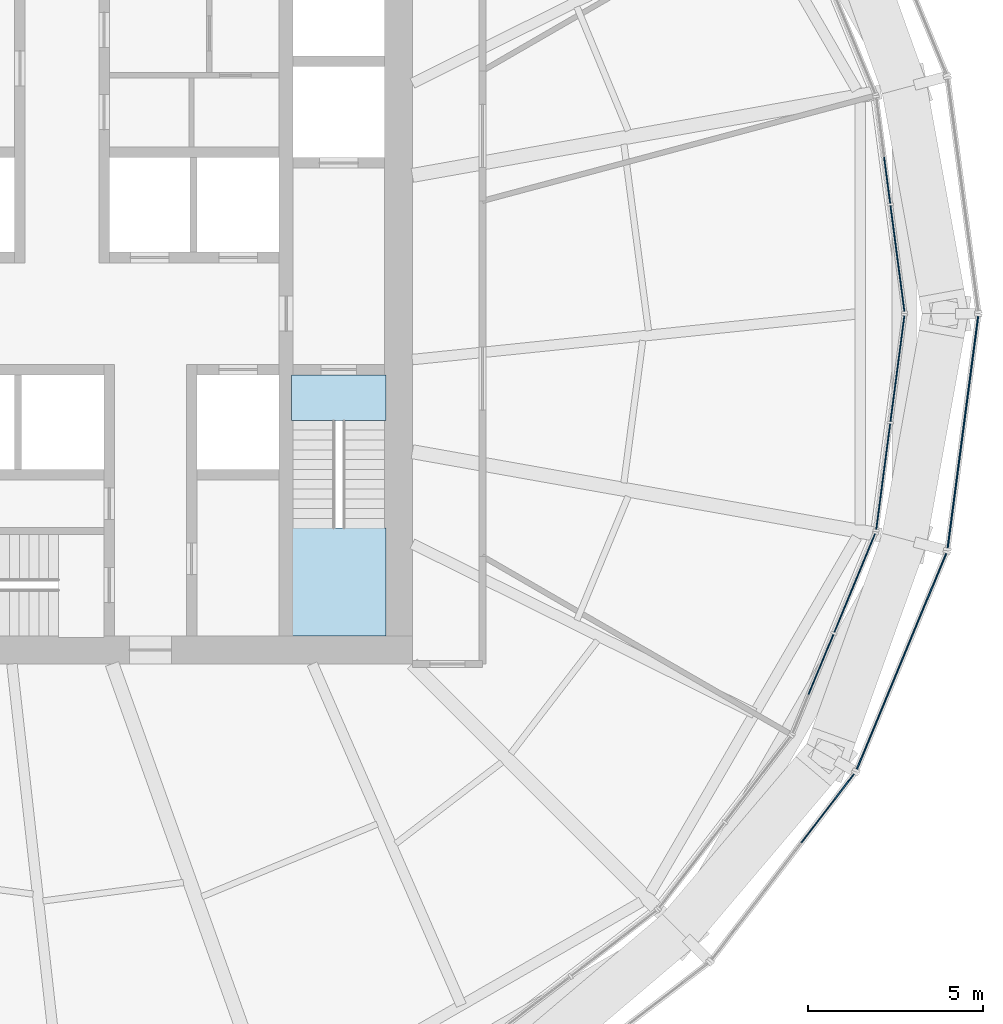
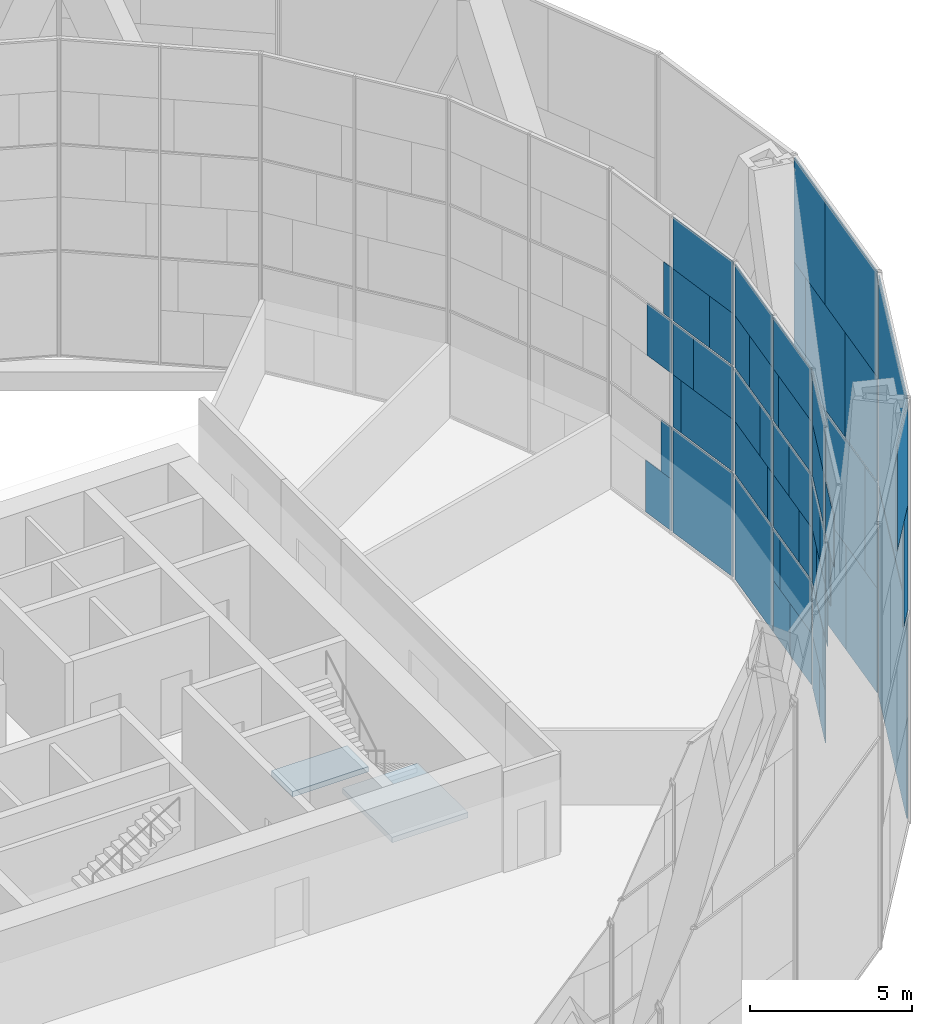
# One storey, part 17 of 26: 59 plates, 2 slabs, 7 elements without a shape of their own.
"""IFC4 building model written with IfcOpenShell, lengths in metres."""

from ifc_helpers import new_model, si_unit, direction, frame, origin, origin_2d, place, context, subcontext, project, spatial, polyline, rectangle, outline, extrude, material, layer, layer_set, type_object, element, aggregate, save


model = new_model("IFC4")

# Units and contexts
model_context = context("Model", 3, precision=1e-05, world=origin(), true_north=direction((0.0, 1.0)))
body_context = subcontext(model_context, "Body", "Model", "MODEL_VIEW")
ifc_project = project(units=[si_unit("LENGTHUNIT", "METRE"), si_unit("AREAUNIT", "SQUARE_METRE"), si_unit("VOLUMEUNIT", "CUBIC_METRE"), si_unit("PLANEANGLEUNIT", "RADIAN"), si_unit("MASSUNIT", "GRAM", prefix="KILO")], contexts=[model_context])

# Site, building, storey
site_placement = place(None, origin())
site = spatial("IfcSite", under=ifc_project, at=site_placement, CompositionType="ELEMENT")
building_placement = place(site_placement, origin())
building = spatial("IfcBuilding", under=site, at=building_placement, Name="Golbaran Civic Tower", CompositionType="ELEMENT")
storey_placement = place(building_placement, frame((0.0, 0.0, 69.0)))
storey = spatial("IfcBuildingStorey", under=building, at=storey_placement, Name="L16", CompositionType="ELEMENT", Elevation=69.0)

# Curtain wall, plates
ifc_material_1 = material(Name="Aluminium and glass", Category="aluminium")
curtain_wall_type_1 = type_object("IfcCurtainWallType", Name="INNER SKIN CURTAIN WALL", PredefinedType="NOTDEFINED", material=ifc_material_1)
curtain_wall_1_placement = place(storey_placement, origin())
curtain_wall_1 = element("IfcCurtainWall", 1, at=curtain_wall_1_placement, inside=storey, type_object=curtain_wall_type_1, Name="Inner skin L16 facet 1 CW1", ObjectType="INNER SKIN", PredefinedType="USERDEFINED")
ifc_material_2 = material(Name="Clear insulating glass", Category="glass")
ifc_layer_1 = layer(ifc_material_2, 0.031982421875, Name="Clear insulating glass")
ifc_layer_set_1 = layer_set([ifc_layer_1], Name="Clear insulating glass")
plate_type_1 = type_object("IfcPlateType", Name="INNER SKIN CURTAIN WALL GLAZED PANEL", PredefinedType="CURTAIN_PANEL", material=ifc_layer_set_1)
plate_1_placement = place(storey_placement, frame((23.845947265625, 1.572509765625, 0.06494140625), z_axis=(0.0, 0.0, 1.0), x_axis=(-0.130526192168, 0.991444861381, 0.0)))
plate_1 = element("IfcPlate", 2, at=plate_1_placement, type_object=plate_type_1, Name="CW1 panel 1.1", PredefinedType="CURTAIN_PANEL", context=body_context, shape_type="SweptSolid", body=[
    extrude(rectangle(XDim=3.0419921875, YDim=0.031982421875, at=origin_2d()), origin(), (0.0, 0.0, 1.0), 3.902587890625),
])
plate_2_placement = place(storey_placement, frame((23.8720703125, 1.37353515625, 4.03271484375), z_axis=(0.0, 0.0, 1.0), x_axis=(-0.130526192168, 0.991444861381, 0.0)))
plate_2 = element("IfcPlate", 3, at=plate_2_placement, type_object=plate_type_1, Name="CW1 panel 1.2 part 1", PredefinedType="CURTAIN_PANEL", context=body_context, shape_type="SweptSolid", body=[
    extrude(rectangle(XDim=2.64111328125, YDim=0.031982421875, at=origin_2d()), origin(), (0.0, 0.0, 1.0), 1.967529296875),
])
plate_3_placement = place(storey_placement, frame((23.913818359375, 1.057373046875, 6.0), z_axis=(0.0, 0.0, 1.0), x_axis=(-0.130526192168, 0.991444861381, 0.0)))
plate_3 = element("IfcPlate", 4, at=plate_3_placement, type_object=plate_type_1, Name="CW1 panel 1.2 part 3", PredefinedType="CURTAIN_PANEL", context=body_context, shape_type="SweptSolid", body=[
    extrude(rectangle(XDim=2.0029296875, YDim=0.031982421875, at=origin_2d()), origin(), (0.0, 0.0, 1.0), 1.967529296875),
])
plate_4_placement = place(storey_placement, frame((23.967529296875, 0.64892578125, 8.032470703125), z_axis=(0.0, 0.0, 1.0), x_axis=(-0.130526192168, 0.991444861381, 0.0)))
plate_4 = element("IfcPlate", 5, at=plate_4_placement, type_object=plate_type_1, Name="CW1 panel 1.3 part 1", PredefinedType="CURTAIN_PANEL", context=body_context, shape_type="SweptSolid", body=[
    extrude(rectangle(XDim=1.178955078125, YDim=0.031982421875, at=origin_2d()), origin(), (0.0, 0.0, 1.0), 1.951171875),
])
plate_5_placement = place(storey_placement, frame((23.55224609375, 3.8037109375, 0.06494140625), z_axis=(0.0, 0.0, 1.0), x_axis=(-0.130526192168, 0.991444861381, 0.0)))
plate_5 = element("IfcPlate", 6, at=plate_5_placement, type_object=plate_type_1, Name="CW1 panel 2.1 part 1", PredefinedType="CURTAIN_PANEL", context=body_context, shape_type="SweptSolid", body=[
    extrude(rectangle(XDim=1.3291015625, YDim=0.031982421875, at=origin_2d()), origin(), (0.0, 0.0, 1.0), 1.951171875),
])
plate_6_placement = place(storey_placement, frame((23.604248046875, 3.408203125, 2.016357421875), z_axis=(0.0, 0.0, 1.0), x_axis=(-0.130526192168, 0.991444861381, 0.0)))
plate_6 = element("IfcPlate", 7, at=plate_6_placement, type_object=plate_type_1, Name="CW1 panel 2.1 part 3", PredefinedType="CURTAIN_PANEL", context=body_context, shape_type="SweptSolid", body=[
    extrude(rectangle(XDim=0.531005859375, YDim=0.031982421875, at=origin_2d()), origin(), (0.0, 0.0, 1.0), 1.951171875),
])

curtain_wall_2_placement = place(storey_placement, origin())
curtain_wall_2 = element("IfcCurtainWall", 8, at=curtain_wall_2_placement, inside=storey, type_object=curtain_wall_type_1, Name="Inner skin L16 facet 23 CW1", ObjectType="INNER SKIN", PredefinedType="USERDEFINED")
plate_7_placement = place(storey_placement, frame((22.298583984375, -8.48193359375, 0.06494140625), z_axis=(0.0, 0.0, 1.0), x_axis=(0.382683432446, 0.923879532478, 0.0)))
plate_7 = element("IfcPlate", 9, at=plate_7_placement, type_object=plate_type_1, Name="CW1 panel 2.1 part 1", PredefinedType="CURTAIN_PANEL", context=body_context, shape_type="SweptSolid", body=[
    extrude(rectangle(XDim=1.3291015625, YDim=0.031982421875, at=origin_2d()), origin(), (0.0, 0.0, 1.0), 1.951171875),
])
plate_8_placement = place(storey_placement, frame((22.14599609375, -8.8505859375, 2.016357421875), z_axis=(0.0, 0.0, 1.0), x_axis=(0.382683432446, 0.923879532478, 0.0)))
plate_8 = element("IfcPlate", 10, at=plate_8_placement, type_object=plate_type_1, Name="CW1 panel 2.1 part 3", PredefinedType="CURTAIN_PANEL", context=body_context, shape_type="SweptSolid", body=[
    extrude(rectangle(XDim=0.531005859375, YDim=0.031982421875, at=origin_2d()), origin(), (0.0, 0.0, 1.0), 1.951171875),
])
plate_9_placement = place(storey_placement, frame((23.018798828125, -6.74365234375, 4.03271484375), z_axis=(0.0, 0.0, 1.0), x_axis=(0.382683432446, 0.923879532478, 0.0)))
plate_9 = element("IfcPlate", 11, at=plate_9_placement, type_object=plate_type_1, Name="CW1 panel 2.2 part 2", PredefinedType="CURTAIN_PANEL", context=body_context, shape_type="SweptSolid", body=[
    extrude(rectangle(XDim=0.991943359375, YDim=0.031982421875, at=origin_2d()), origin(), (0.0, 0.0, 1.0), 1.967529296875),
])
plate_10_placement = place(storey_placement, frame((22.864501953125, -7.115966796875, 6.0), z_axis=(0.0, 0.0, 1.0), x_axis=(0.382683432446, 0.923879532478, 0.0)))
plate_10 = element("IfcPlate", 12, at=plate_10_placement, type_object=plate_type_1, Name="CW1 panel 2.2 part 4", PredefinedType="CURTAIN_PANEL", context=body_context, shape_type="SweptSolid", body=[
    extrude(rectangle(XDim=1.798095703125, YDim=0.031982421875, at=origin_2d()), origin(), (0.0, 0.0, 1.0), 1.967529296875),
])
plate_11_placement = place(storey_placement, frame((22.705078125, -7.500732421875, 8.032470703125), z_axis=(0.0, 0.0, 1.0), x_axis=(0.382683432446, 0.923879532478, 0.0)))
plate_11 = element("IfcPlate", 13, at=plate_11_placement, type_object=plate_type_1, Name="CW1 panel 2.3 part 2", PredefinedType="CURTAIN_PANEL", context=body_context, shape_type="SweptSolid", body=[
    extrude(rectangle(XDim=2.631103515625, YDim=0.031982421875, at=origin_2d()), origin(), (0.0, 0.0, 1.0), 1.951171875),
])
plate_12_placement = place(storey_placement, frame((22.62646484375, -7.690673828125, 9.98388671875), z_axis=(0.0, 0.0, 1.0), x_axis=(0.382683432446, 0.923879532478, 0.0)))
plate_12 = element("IfcPlate", 14, at=plate_12_placement, type_object=plate_type_1, Name="CW1 panel 2.3 part 3", PredefinedType="CURTAIN_PANEL", context=body_context, shape_type="SweptSolid", body=[
    extrude(rectangle(XDim=3.0419921875, YDim=0.031982421875, at=origin_2d()), origin(), (0.0, 0.0, 1.0), 1.951171875),
])

curtain_wall_3_placement = place(storey_placement, origin())
curtain_wall_3 = element("IfcCurtainWall", 15, at=curtain_wall_3_placement, inside=storey, type_object=curtain_wall_type_1, Name="Inner skin L16 facet 24 CW1", ObjectType="INNER SKIN", PredefinedType="USERDEFINED")
plate_13_placement = place(storey_placement, frame((23.55224609375, -3.8037109375, 0.06494140625), z_axis=(0.0, 0.0, 1.0), x_axis=(0.130526192168, 0.991444861381, 0.0)))
plate_13 = element("IfcPlate", 16, at=plate_13_placement, type_object=plate_type_1, Name="CW1 panel 1.1 part 2", PredefinedType="CURTAIN_PANEL", context=body_context, shape_type="SweptSolid", body=[
    extrude(rectangle(XDim=1.3291015625, YDim=0.031982421875, at=origin_2d()), origin(), (0.0, 0.0, 1.0), 1.951171875),
])
plate_14_placement = place(storey_placement, frame((23.604248046875, -3.408203125, 2.016357421875), z_axis=(0.0, 0.0, 1.0), x_axis=(0.130526192168, 0.991444861381, 0.0)))
plate_14 = element("IfcPlate", 17, at=plate_14_placement, type_object=plate_type_1, Name="CW1 panel 1.1 part 4", PredefinedType="CURTAIN_PANEL", context=body_context, shape_type="SweptSolid", body=[
    extrude(rectangle(XDim=0.531005859375, YDim=0.031982421875, at=origin_2d()), origin(), (0.0, 0.0, 1.0), 1.951171875),
])
plate_15_placement = place(storey_placement, frame((23.306640625, -5.669189453125, 4.03271484375), z_axis=(0.0, 0.0, 1.0), x_axis=(0.130526192168, 0.991444861381, 0.0)))
plate_15 = element("IfcPlate", 18, at=plate_15_placement, type_object=plate_type_1, Name="CW1 panel 1.2 part 1", PredefinedType="CURTAIN_PANEL", context=body_context, shape_type="SweptSolid", body=[
    extrude(rectangle(XDim=0.991943359375, YDim=0.031982421875, at=origin_2d()), origin(), (0.0, 0.0, 1.0), 1.967529296875),
])
plate_16_placement = place(storey_placement, frame((23.359375, -5.26904296875, 6.0), z_axis=(0.0, 0.0, 1.0), x_axis=(0.130526192168, 0.991444861381, 0.0)))
plate_16 = element("IfcPlate", 19, at=plate_16_placement, type_object=plate_type_1, Name="CW1 panel 1.2 part 3", PredefinedType="CURTAIN_PANEL", context=body_context, shape_type="SweptSolid", body=[
    extrude(rectangle(XDim=1.799072265625, YDim=0.031982421875, at=origin_2d()), origin(), (0.0, 0.0, 1.0), 1.967529296875),
])
plate_17_placement = place(storey_placement, frame((23.41357421875, -4.856689453125, 8.032470703125), z_axis=(0.0, 0.0, 1.0), x_axis=(0.130526192168, 0.991444861381, 0.0)))
plate_17 = element("IfcPlate", 20, at=plate_17_placement, type_object=plate_type_1, Name="CW1 panel 1.3 part 1", PredefinedType="CURTAIN_PANEL", context=body_context, shape_type="SweptSolid", body=[
    extrude(rectangle(XDim=2.631103515625, YDim=0.031982421875, at=origin_2d()), origin(), (0.0, 0.0, 1.0), 1.951171875),
])
plate_18_placement = place(storey_placement, frame((23.4404296875, -4.65283203125, 9.98388671875), z_axis=(0.0, 0.0, 1.0), x_axis=(0.130526192168, 0.991444861381, 0.0)))
plate_18 = element("IfcPlate", 21, at=plate_18_placement, type_object=plate_type_1, Name="CW1 panel 1.3 part 3", PredefinedType="CURTAIN_PANEL", context=body_context, shape_type="SweptSolid", body=[
    extrude(rectangle(XDim=3.0419921875, YDim=0.031982421875, at=origin_2d()), origin(), (0.0, 0.0, 1.0), 1.951171875),
])
plate_19_placement = place(storey_placement, frame((23.845947265625, -1.572509765625, 0.06494140625), z_axis=(0.0, 0.0, 1.0), x_axis=(0.130526192168, 0.991444861381, 0.0)))
plate_19 = element("IfcPlate", 22, at=plate_19_placement, type_object=plate_type_1, Name="CW1 panel 2.1", PredefinedType="CURTAIN_PANEL", context=body_context, shape_type="SweptSolid", body=[
    extrude(rectangle(XDim=3.0419921875, YDim=0.031982421875, at=origin_2d()), origin(), (0.0, 0.0, 1.0), 3.902587890625),
])
plate_20_placement = place(storey_placement, frame((23.8720703125, -1.373779296875, 4.03271484375), z_axis=(0.0, 0.0, 1.0), x_axis=(0.130526192168, 0.991444861381, 0.0)))
plate_20 = element("IfcPlate", 23, at=plate_20_placement, type_object=plate_type_1, Name="CW1 panel 2.2 part 2", PredefinedType="CURTAIN_PANEL", context=body_context, shape_type="SweptSolid", body=[
    extrude(rectangle(XDim=2.64111328125, YDim=0.031982421875, at=origin_2d()), origin(), (0.0, 0.0, 1.0), 1.967529296875),
])
plate_21_placement = place(storey_placement, frame((23.913818359375, -1.057373046875, 6.0), z_axis=(0.0, 0.0, 1.0), x_axis=(0.130526192168, 0.991444861381, 0.0)))
plate_21 = element("IfcPlate", 24, at=plate_21_placement, type_object=plate_type_1, Name="CW1 panel 2.2 part 4", PredefinedType="CURTAIN_PANEL", context=body_context, shape_type="SweptSolid", body=[
    extrude(rectangle(XDim=2.0029296875, YDim=0.031982421875, at=origin_2d()), origin(), (0.0, 0.0, 1.0), 1.967529296875),
])
plate_22_placement = place(storey_placement, frame((23.967529296875, -0.64892578125, 8.032470703125), z_axis=(0.0, 0.0, 1.0), x_axis=(0.130526192168, 0.991444861381, 0.0)))
plate_22 = element("IfcPlate", 25, at=plate_22_placement, type_object=plate_type_1, Name="CW1 panel 2.3 part 2", PredefinedType="CURTAIN_PANEL", context=body_context, shape_type="SweptSolid", body=[
    extrude(rectangle(XDim=1.178955078125, YDim=0.031982421875, at=origin_2d()), origin(), (0.0, 0.0, 1.0), 1.951171875),
])

# Plate
ifc_material_3 = material(Name="Aluminium faced opaque infill panel", Category="aluminium")
ifc_layer_2 = layer(ifc_material_3, 0.031982421875, Name="Aluminium faced opaque infill panel")
ifc_layer_set_2 = layer_set([ifc_layer_2], Name="Aluminium faced opaque infill panel")
plate_type_2 = type_object("IfcPlateType", Name="INNER SKIN CURTAIN WALL OPAQUE INFILL PANEL", PredefinedType="CURTAIN_PANEL", material=ifc_layer_set_2)
plate_23_placement = place(storey_placement, frame((23.673583984375, 2.881591796875, 4.03271484375), z_axis=(0.0, 0.0, 1.0), x_axis=(-0.130526192168, 0.991444861381, 0.0)))
plate_23 = element("IfcPlate", 26, at=plate_23_placement, type_object=plate_type_2, Name="CW1 infill panel 1.2 part 2", PredefinedType="CURTAIN_PANEL", context=body_context, shape_type="SweptSolid", body=[
    extrude(rectangle(XDim=0.401123046875, YDim=0.031982421875, at=origin_2d()), origin(), (0.0, 0.0, 1.0), 1.967529296875),
])

plate_24_placement = place(storey_placement, frame((23.71533203125, 2.5654296875, 6.0), z_axis=(0.0, 0.0, 1.0), x_axis=(-0.130526192168, 0.991444861381, 0.0)))
plate_24 = element("IfcPlate", 27, at=plate_24_placement, type_object=plate_type_2, Name="CW1 infill panel 1.2 part 4", PredefinedType="CURTAIN_PANEL", context=body_context, shape_type="SweptSolid", body=[
    extrude(rectangle(XDim=1.0390625, YDim=0.031982421875, at=origin_2d()), origin(), (0.0, 0.0, 1.0), 1.967529296875),
])

plate_25_placement = place(storey_placement, frame((23.76904296875, 2.156982421875, 8.032470703125), z_axis=(0.0, 0.0, 1.0), x_axis=(-0.130526192168, 0.991444861381, 0.0)))
plate_25 = element("IfcPlate", 28, at=plate_25_placement, type_object=plate_type_2, Name="CW1 infill panel 1.3 part 2", PredefinedType="CURTAIN_PANEL", context=body_context, shape_type="SweptSolid", body=[
    extrude(rectangle(XDim=1.863037109375, YDim=0.031982421875, at=origin_2d()), origin(), (0.0, 0.0, 1.0), 1.951171875),
])

plate_26_placement = place(storey_placement, frame((23.845947265625, 1.572509765625, 9.98388671875), z_axis=(0.0, 0.0, 1.0), x_axis=(-0.130526192168, 0.991444861381, 0.0)))
plate_26 = element("IfcPlate", 29, at=plate_26_placement, type_object=plate_type_2, Name="CW1 infill panel 1.3 part 3", PredefinedType="CURTAIN_PANEL", context=body_context, shape_type="SweptSolid", body=[
    extrude(rectangle(XDim=3.0419921875, YDim=0.031982421875, at=origin_2d()), origin(), (0.0, 0.0, 1.0), 1.951171875),
])

plate_27_placement = place(storey_placement, frame((23.557861328125, 3.761474609375, 6.0), z_axis=(0.0, 0.0, 1.0), x_axis=(-0.130526192168, 0.991444861381, 0.0)))
plate_27 = element("IfcPlate", 30, at=plate_27_placement, type_object=plate_type_2, Name="CW1 infill panel 2.2 part 3", PredefinedType="CURTAIN_PANEL", context=body_context, shape_type="SweptSolid", body=[
    extrude(rectangle(XDim=1.243896484375, YDim=0.031982421875, at=origin_2d()), origin(), (0.0, 0.0, 1.0), 1.967529296875),
])

plate_28_placement = place(storey_placement, frame((23.612060546875, 3.3486328125, 8.032470703125), z_axis=(0.0, 0.0, 1.0), x_axis=(-0.130526192168, 0.991444861381, 0.0)))
plate_28 = element("IfcPlate", 31, at=plate_28_placement, type_object=plate_type_2, Name="CW1 infill panel 2.3 part 1", PredefinedType="CURTAIN_PANEL", context=body_context, shape_type="SweptSolid", body=[
    extrude(rectangle(XDim=0.410888671875, YDim=0.031982421875, at=origin_2d()), origin(), (0.0, 0.0, 1.0), 1.951171875),
])

aggregate(curtain_wall_1, [plate_1, plate_2, plate_23, plate_3, plate_24, plate_4, plate_25, plate_26, plate_5, plate_6, plate_27, plate_28])

plate_29_placement = place(storey_placement, frame((21.94287109375, -9.34130859375, 4.03271484375), z_axis=(0.0, 0.0, 1.0), x_axis=(0.382683432446, 0.923879532478, 0.0)))
plate_29 = element("IfcPlate", 32, at=plate_29_placement, type_object=plate_type_2, Name="CW1 infill panel 1.2 part 2", PredefinedType="CURTAIN_PANEL", context=body_context, shape_type="SweptSolid", body=[
    extrude(rectangle(XDim=0.401123046875, YDim=0.031982421875, at=origin_2d()), origin(), (0.0, 0.0, 1.0), 1.967529296875),
])

plate_30_placement = place(storey_placement, frame((21.82080078125, -9.635986328125, 6.0), z_axis=(0.0, 0.0, 1.0), x_axis=(0.382683432446, 0.923879532478, 0.0)))
plate_30 = element("IfcPlate", 33, at=plate_30_placement, type_object=plate_type_2, Name="CW1 infill panel 1.2 part 4", PredefinedType="CURTAIN_PANEL", context=body_context, shape_type="SweptSolid", body=[
    extrude(rectangle(XDim=1.0390625, YDim=0.031982421875, at=origin_2d()), origin(), (0.0, 0.0, 1.0), 1.967529296875),
])

plate_31_placement = place(storey_placement, frame((21.6630859375, -10.0166015625, 8.032470703125), z_axis=(0.0, 0.0, 1.0), x_axis=(0.382683432446, 0.923879532478, 0.0)))
plate_31 = element("IfcPlate", 34, at=plate_31_placement, type_object=plate_type_2, Name="CW1 infill panel 1.3 part 2", PredefinedType="CURTAIN_PANEL", context=body_context, shape_type="SweptSolid", body=[
    extrude(rectangle(XDim=1.863037109375, YDim=0.031982421875, at=origin_2d()), origin(), (0.0, 0.0, 1.0), 1.951171875),
])

plate_32_placement = place(storey_placement, frame((22.880859375, -7.07666015625, 0.06494140625), z_axis=(0.0, 0.0, 1.0), x_axis=(0.382683432446, 0.923879532478, 0.0)))
plate_32 = element("IfcPlate", 35, at=plate_32_placement, type_object=plate_type_2, Name="CW1 infill panel 2.1 part 2", PredefinedType="CURTAIN_PANEL", context=body_context, shape_type="SweptSolid", body=[
    extrude(rectangle(XDim=1.713134765625, YDim=0.031982421875, at=origin_2d()), origin(), (0.0, 0.0, 1.0), 1.951171875),
])

plate_33_placement = place(storey_placement, frame((22.72802734375, -7.4453125, 2.016357421875), z_axis=(0.0, 0.0, 1.0), x_axis=(0.382683432446, 0.923879532478, 0.0)))
plate_33 = element("IfcPlate", 36, at=plate_33_placement, type_object=plate_type_2, Name="CW1 infill panel 2.1 part 4", PredefinedType="CURTAIN_PANEL", context=body_context, shape_type="SweptSolid", body=[
    extrude(rectangle(XDim=2.510986328125, YDim=0.031982421875, at=origin_2d()), origin(), (0.0, 0.0, 1.0), 1.951171875),
])

plate_34_placement = place(storey_placement, frame((22.436767578125, -8.14892578125, 4.03271484375), z_axis=(0.0, 0.0, 1.0), x_axis=(0.382683432446, 0.923879532478, 0.0)))
plate_34 = element("IfcPlate", 37, at=plate_34_placement, type_object=plate_type_2, Name="CW1 infill panel 2.2 part 1", PredefinedType="CURTAIN_PANEL", context=body_context, shape_type="SweptSolid", body=[
    extrude(rectangle(XDim=2.050048828125, YDim=0.031982421875, at=origin_2d()), origin(), (0.0, 0.0, 1.0), 1.967529296875),
])

plate_35_placement = place(storey_placement, frame((22.282470703125, -8.521240234375, 6.0), z_axis=(0.0, 0.0, 1.0), x_axis=(0.382683432446, 0.923879532478, 0.0)))
plate_35 = element("IfcPlate", 38, at=plate_35_placement, type_object=plate_type_2, Name="CW1 infill panel 2.2 part 3", PredefinedType="CURTAIN_PANEL", context=body_context, shape_type="SweptSolid", body=[
    extrude(rectangle(XDim=1.243896484375, YDim=0.031982421875, at=origin_2d()), origin(), (0.0, 0.0, 1.0), 1.967529296875),
])

plate_36_placement = place(storey_placement, frame((22.123046875, -8.906005859375, 8.032470703125), z_axis=(0.0, 0.0, 1.0), x_axis=(0.382683432446, 0.923879532478, 0.0)))
plate_36 = element("IfcPlate", 39, at=plate_36_placement, type_object=plate_type_2, Name="CW1 infill panel 2.3 part 1", PredefinedType="CURTAIN_PANEL", context=body_context, shape_type="SweptSolid", body=[
    extrude(rectangle(XDim=0.410888671875, YDim=0.031982421875, at=origin_2d()), origin(), (0.0, 0.0, 1.0), 1.951171875),
])

aggregate(curtain_wall_2, [plate_29, plate_30, plate_31, plate_7, plate_32, plate_8, plate_33, plate_34, plate_9, plate_35, plate_10, plate_36, plate_11, plate_12])

plate_37_placement = place(storey_placement, frame((23.353759765625, -5.311767578125, 0.06494140625), z_axis=(0.0, 0.0, 1.0), x_axis=(0.130526192168, 0.991444861381, 0.0)))
plate_37 = element("IfcPlate", 40, at=plate_37_placement, type_object=plate_type_2, Name="CW1 infill panel 1.1 part 1", PredefinedType="CURTAIN_PANEL", context=body_context, shape_type="SweptSolid", body=[
    extrude(rectangle(XDim=1.712890625, YDim=0.031982421875, at=origin_2d()), origin(), (0.0, 0.0, 1.0), 1.951171875),
])

plate_38_placement = place(storey_placement, frame((23.40576171875, -4.916259765625, 2.016357421875), z_axis=(0.0, 0.0, 1.0), x_axis=(0.130526192168, 0.991444861381, 0.0)))
plate_38 = element("IfcPlate", 41, at=plate_38_placement, type_object=plate_type_2, Name="CW1 infill panel 1.1 part 3", PredefinedType="CURTAIN_PANEL", context=body_context, shape_type="SweptSolid", body=[
    extrude(rectangle(XDim=2.510986328125, YDim=0.031982421875, at=origin_2d()), origin(), (0.0, 0.0, 1.0), 1.951171875),
])

plate_39_placement = place(storey_placement, frame((23.505126953125, -4.1611328125, 4.03271484375), z_axis=(0.0, 0.0, 1.0), x_axis=(0.130526192168, 0.991444861381, 0.0)))
plate_39 = element("IfcPlate", 42, at=plate_39_placement, type_object=plate_type_2, Name="CW1 infill panel 1.2 part 2", PredefinedType="CURTAIN_PANEL", context=body_context, shape_type="SweptSolid", body=[
    extrude(rectangle(XDim=2.050048828125, YDim=0.031982421875, at=origin_2d()), origin(), (0.0, 0.0, 1.0), 1.967529296875),
])

plate_40_placement = place(storey_placement, frame((23.557861328125, -3.76123046875, 6.0), z_axis=(0.0, 0.0, 1.0), x_axis=(0.130526192168, 0.991444861381, 0.0)))
plate_40 = element("IfcPlate", 43, at=plate_40_placement, type_object=plate_type_2, Name="CW1 infill panel 1.2 part 4", PredefinedType="CURTAIN_PANEL", context=body_context, shape_type="SweptSolid", body=[
    extrude(rectangle(XDim=1.2431640625, YDim=0.031982421875, at=origin_2d()), origin(), (0.0, 0.0, 1.0), 1.967529296875),
])

plate_41_placement = place(storey_placement, frame((23.612060546875, -3.3486328125, 8.032470703125), z_axis=(0.0, 0.0, 1.0), x_axis=(0.130526192168, 0.991444861381, 0.0)))
plate_41 = element("IfcPlate", 44, at=plate_41_placement, type_object=plate_type_2, Name="CW1 infill panel 1.3 part 2", PredefinedType="CURTAIN_PANEL", context=body_context, shape_type="SweptSolid", body=[
    extrude(rectangle(XDim=0.4111328125, YDim=0.031982421875, at=origin_2d()), origin(), (0.0, 0.0, 1.0), 1.951171875),
])

plate_42_placement = place(storey_placement, frame((23.673583984375, -2.881591796875, 4.03271484375), z_axis=(0.0, 0.0, 1.0), x_axis=(0.130526192168, 0.991444861381, 0.0)))
plate_42 = element("IfcPlate", 45, at=plate_42_placement, type_object=plate_type_2, Name="CW1 infill panel 2.2 part 1", PredefinedType="CURTAIN_PANEL", context=body_context, shape_type="SweptSolid", body=[
    extrude(rectangle(XDim=0.40087890625, YDim=0.031982421875, at=origin_2d()), origin(), (0.0, 0.0, 1.0), 1.967529296875),
])

plate_43_placement = place(storey_placement, frame((23.71533203125, -2.5654296875, 6.0), z_axis=(0.0, 0.0, 1.0), x_axis=(0.130526192168, 0.991444861381, 0.0)))
plate_43 = element("IfcPlate", 46, at=plate_43_placement, type_object=plate_type_2, Name="CW1 infill panel 2.2 part 3", PredefinedType="CURTAIN_PANEL", context=body_context, shape_type="SweptSolid", body=[
    extrude(rectangle(XDim=1.0390625, YDim=0.031982421875, at=origin_2d()), origin(), (0.0, 0.0, 1.0), 1.967529296875),
])

plate_44_placement = place(storey_placement, frame((23.76904296875, -2.156982421875, 8.032470703125), z_axis=(0.0, 0.0, 1.0), x_axis=(0.130526192168, 0.991444861381, 0.0)))
plate_44 = element("IfcPlate", 47, at=plate_44_placement, type_object=plate_type_2, Name="CW1 infill panel 2.3 part 1", PredefinedType="CURTAIN_PANEL", context=body_context, shape_type="SweptSolid", body=[
    extrude(rectangle(XDim=1.863037109375, YDim=0.031982421875, at=origin_2d()), origin(), (0.0, 0.0, 1.0), 1.951171875),
])

plate_45_placement = place(storey_placement, frame((23.845947265625, -1.572509765625, 9.98388671875), z_axis=(0.0, 0.0, 1.0), x_axis=(0.130526192168, 0.991444861381, 0.0)))
plate_45 = element("IfcPlate", 48, at=plate_45_placement, type_object=plate_type_2, Name="CW1 infill panel 2.3 part 3", PredefinedType="CURTAIN_PANEL", context=body_context, shape_type="SweptSolid", body=[
    extrude(rectangle(XDim=3.0419921875, YDim=0.031982421875, at=origin_2d()), origin(), (0.0, 0.0, 1.0), 1.951171875),
])

aggregate(curtain_wall_3, [plate_37, plate_13, plate_38, plate_14, plate_15, plate_39, plate_16, plate_40, plate_17, plate_41, plate_18, plate_19, plate_42, plate_20, plate_43, plate_21, plate_44, plate_22, plate_45])

# Curtain wall, plate
curtain_wall_type_2 = type_object("IfcCurtainWallType", Name="OUTER SKIN TERRACOTTA SCREEN", PredefinedType="NOTDEFINED", material=ifc_material_1)
curtain_wall_4_placement = place(storey_placement, origin())
curtain_wall_4 = element("IfcCurtainWall", 49, at=curtain_wall_4_placement, inside=storey, type_object=curtain_wall_type_2, Name="Outer skin L16 facet 22 CW3", ObjectType="OUTER SKIN", PredefinedType="USERDEFINED")
ifc_material_4 = material(Name="Clear laminated glass", Category="glass")
ifc_layer_3 = layer(ifc_material_4, 0.0400390625, Name="Clear laminated glass")
ifc_layer_set_3 = layer_set([ifc_layer_3], Name="Clear laminated glass")
plate_type_3 = type_object("IfcPlateType", Name="OUTER SKIN CLEAR GLASS PANEL", PredefinedType="CURTAIN_PANEL", material=ifc_layer_set_3)
plate_46_placement = place(storey_placement, frame((22.3271484375, -13.509033203125, 7.330078125), z_axis=(0.0, 0.0, 1.0), x_axis=(0.608761428912, 0.793353340366, 0.0)))
plate_46 = element("IfcPlate", 50, at=plate_46_placement, type_object=plate_type_3, Name="CW3 panel 1.2 part 3", PredefinedType="CURTAIN_PANEL", context=body_context, shape_type="SweptSolid", body=[
    extrude(rectangle(XDim=0.92041015625, YDim=0.0400390625, at=origin_2d()), origin(), (0.0, 0.0, 1.0), 3.93994140625),
])

# Curtain wall, plates
curtain_wall_5_placement = place(storey_placement, origin())
curtain_wall_5 = element("IfcCurtainWall", 51, at=curtain_wall_5_placement, inside=storey, type_object=curtain_wall_type_2, Name="Outer skin L16 facet 24 CW3", ObjectType="OUTER SKIN", PredefinedType="USERDEFINED")
plate_47_placement = place(storey_placement, frame((25.877685546875, -2.152099609375, -0.6298828125), z_axis=(0.0, 0.0, 1.0), x_axis=(0.130526192151, 0.991444861383, 0.0)))
plate_47 = element("IfcPlate", 52, at=plate_47_placement, type_object=plate_type_3, Name="CW3 panel 1.1 part 2", PredefinedType="CURTAIN_PANEL", context=body_context, shape_type="SweptSolid", body=[
    extrude(rectangle(XDim=4.181396484375, YDim=0.0400390625, at=origin_2d()), origin(), (0.0, 0.0, 1.0), 3.93994140625),
])
plate_48_placement = place(storey_placement, frame((25.34228515625, -6.21826171875, 3.31005859375), z_axis=(0.0, 0.0, 1.0), x_axis=(0.130526192151, 0.991444861383, 0.0)))
plate_48 = element("IfcPlate", 53, at=plate_48_placement, type_object=plate_type_3, Name="CW3 panel 1.1 part 3", PredefinedType="CURTAIN_PANEL", context=body_context, shape_type="SweptSolid", body=[
    extrude(rectangle(XDim=0.955078125, YDim=0.0400390625, at=origin_2d()), origin(), (0.0, 0.0, 1.0), 3.93994140625),
])
plate_49_placement = place(storey_placement, frame((25.98291015625, -1.35205078125, 3.31005859375), z_axis=(0.0, 0.0, 1.0), x_axis=(0.130526192151, 0.991444861383, 0.0)))
plate_49 = element("IfcPlate", 54, at=plate_49_placement, type_object=plate_type_3, Name="CW3 panel 1.1 part 5", PredefinedType="CURTAIN_PANEL", context=body_context, shape_type="SweptSolid", body=[
    extrude(rectangle(XDim=2.5673828125, YDim=0.0400390625, at=origin_2d()), origin(), (0.0, 0.0, 1.0), 3.93994140625),
])
plate_50_placement = place(storey_placement, frame((25.449462890625, -5.40380859375, 7.330078125), z_axis=(0.0, 0.0, 1.0), x_axis=(0.130526192151, 0.991444861383, 0.0)))
plate_50 = element("IfcPlate", 55, at=plate_50_placement, type_object=plate_type_3, Name="CW3 panel 1.2 part 1", PredefinedType="CURTAIN_PANEL", context=body_context, shape_type="SweptSolid", body=[
    extrude(rectangle(XDim=2.597900390625, YDim=0.0400390625, at=origin_2d()), origin(), (0.0, 0.0, 1.0), 3.93994140625),
])
plate_51_placement = place(storey_placement, frame((26.090576171875, -0.53564453125, 7.330078125), z_axis=(0.0, 0.0, 1.0), x_axis=(0.130526192151, 0.991444861383, 0.0)))
plate_51 = element("IfcPlate", 56, at=plate_51_placement, type_object=plate_type_3, Name="CW3 panel 1.2 part 3", PredefinedType="CURTAIN_PANEL", context=body_context, shape_type="SweptSolid", body=[
    extrude(rectangle(XDim=0.92041015625, YDim=0.0400390625, at=origin_2d()), origin(), (0.0, 0.0, 1.0), 3.93994140625),
])
plate_52_placement = place(storey_placement, frame((25.5546875, -4.605224609375, 11.27001953125), z_axis=(0.0, 0.0, 1.0), x_axis=(0.130526192151, 0.991444861383, 0.0)))
plate_52 = element("IfcPlate", 57, at=plate_52_placement, type_object=plate_type_3, Name="CW3 panel 1.2 part 4", PredefinedType="CURTAIN_PANEL", context=body_context, shape_type="SweptSolid", body=[
    extrude(rectangle(XDim=4.208984375, YDim=0.0400390625, at=origin_2d()), origin(), (0.0, 0.0, 1.0), 3.93994140625),
])

# Plate
ifc_material_5 = material(Name="Terracotta baguette screen", Category="masonry")
ifc_layer_4 = layer(ifc_material_5, 0.0400390625, Name="Terracotta baguette screen")
ifc_layer_set_4 = layer_set([ifc_layer_4], Name="Terracotta baguette screen")
plate_type_4 = type_object("IfcPlateType", Name="OUTER SKIN TERRACOTTA INFILL PANEL", PredefinedType="CURTAIN_PANEL", material=ifc_layer_set_4)
plate_53_placement = place(storey_placement, frame((21.8583984375, -14.119873046875, 11.27001953125), z_axis=(0.0, 0.0, 1.0), x_axis=(0.608761428912, 0.793353340366, 0.0)))
plate_53 = element("IfcPlate", 58, at=plate_53_placement, type_object=plate_type_4, Name="CW3 infill panel 1.2 part 5", PredefinedType="CURTAIN_PANEL", context=body_context, shape_type="SweptSolid", body=[
    extrude(rectangle(XDim=2.46044921875, YDim=0.0400390625, at=origin_2d()), origin(), (0.0, 0.0, 1.0), 3.93994140625),
])

aggregate(curtain_wall_4, [plate_46, plate_53])

plate_54_placement = place(storey_placement, frame((25.4423828125, -5.458251953125, -0.6298828125), z_axis=(0.0, 0.0, 1.0), x_axis=(0.130526192151, 0.991444861383, 0.0)))
plate_54 = element("IfcPlate", 59, at=plate_54_placement, type_object=plate_type_4, Name="CW3 infill panel 1.1 part 1", PredefinedType="CURTAIN_PANEL", context=body_context, shape_type="SweptSolid", body=[
    extrude(rectangle(XDim=2.488037109375, YDim=0.0400390625, at=origin_2d()), origin(), (0.0, 0.0, 1.0), 3.93994140625),
])

plate_55_placement = place(storey_placement, frame((25.610107421875, -4.184814453125, 3.31005859375), z_axis=(0.0, 0.0, 1.0), x_axis=(0.130526192151, 0.991444861383, 0.0)))
plate_55 = element("IfcPlate", 60, at=plate_55_placement, type_object=plate_type_4, Name="CW3 infill panel 1.1 part 4", PredefinedType="CURTAIN_PANEL", context=body_context, shape_type="SweptSolid", body=[
    extrude(rectangle(XDim=3.14697265625, YDim=0.0400390625, at=origin_2d()), origin(), (0.0, 0.0, 1.0), 3.93994140625),
])

plate_56_placement = place(storey_placement, frame((25.82470703125, -2.553955078125, 7.330078125), z_axis=(0.0, 0.0, 1.0), x_axis=(0.130526192151, 0.991444861383, 0.0)))
plate_56 = element("IfcPlate", 61, at=plate_56_placement, type_object=plate_type_4, Name="CW3 infill panel 1.2 part 2", PredefinedType="CURTAIN_PANEL", context=body_context, shape_type="SweptSolid", body=[
    extrude(rectangle(XDim=3.15087890625, YDim=0.0400390625, at=origin_2d()), origin(), (0.0, 0.0, 1.0), 3.93994140625),
])

plate_57_placement = place(storey_placement, frame((25.989990234375, -1.299072265625, 11.27001953125), z_axis=(0.0, 0.0, 1.0), x_axis=(0.130526192151, 0.991444861383, 0.0)))
plate_57 = element("IfcPlate", 62, at=plate_57_placement, type_object=plate_type_4, Name="CW3 infill panel 1.2 part 5", PredefinedType="CURTAIN_PANEL", context=body_context, shape_type="SweptSolid", body=[
    extrude(rectangle(XDim=2.46044921875, YDim=0.0400390625, at=origin_2d()), origin(), (0.0, 0.0, 1.0), 3.93994140625),
])

aggregate(curtain_wall_5, [plate_54, plate_47, plate_48, plate_55, plate_49, plate_50, plate_56, plate_51, plate_52, plate_57])

# Curtain wall, plates
curtain_wall_6_placement = place(storey_placement, origin())
curtain_wall_6 = element("IfcCurtainWall", 63, at=curtain_wall_6_placement, inside=storey, type_object=curtain_wall_type_2, Name="Outer skin L16 facet 23 CW3", ObjectType="OUTER SKIN", PredefinedType="USERDEFINED")
ifc_layer_5 = layer(ifc_material_5, 0.0400390625, Name="Terracotta baguette screen")
ifc_layer_set_5 = layer_set([ifc_layer_5], Name="Terracotta baguette screen")
plate_type_5 = type_object("IfcPlateType", Name="OUTER SKIN TERRACOTTA SCREEN PANEL", PredefinedType="CURTAIN_PANEL", material=ifc_layer_set_5)
plate_58_placement = place(storey_placement, frame((23.962890625, -9.92578125, -0.6298828125), z_axis=(0.0, 0.0, 1.0), x_axis=(0.382683432478, 0.923879532465, 0.0)))
plate_58 = element("IfcPlate", 64, at=plate_58_placement, type_object=plate_type_5, Name="CW3 terracotta screen panel 1.1", PredefinedType="CURTAIN_PANEL", context=body_context, shape_type="SweptSolid", body=[
    extrude(rectangle(XDim=6.66943359375, YDim=0.0400390625, at=origin_2d()), origin(), (0.0, 0.0, 1.0), 7.8798828125),
])
plate_59_placement = place(storey_placement, frame((23.962890625, -9.92578125, 7.330078125), z_axis=(0.0, 0.0, 1.0), x_axis=(0.382683432478, 0.923879532465, 0.0)))
plate_59 = element("IfcPlate", 65, at=plate_59_placement, type_object=plate_type_5, Name="CW3 terracotta screen panel 1.2", PredefinedType="CURTAIN_PANEL", context=body_context, shape_type="SweptSolid", body=[
    extrude(rectangle(XDim=6.66943359375, YDim=0.0400390625, at=origin_2d()), origin(), (0.0, 0.0, 1.0), 7.8798828125),
])
aggregate(curtain_wall_6, [plate_58, plate_59])

# Stair, slab
ifc_material_6 = material(Name="Concrete C35/45", Category="concrete")
stair_type = type_object("IfcStairType", Name="EXIT STAIR 2600 x 7450, 4000 RISE", PredefinedType="HALF_TURN_STAIR", material=ifc_material_6)
stair_placement = place(storey_placement, origin())
stair = element("IfcStair", 66, at=stair_placement, inside=storey, type_object=stair_type, Name="Stair S2 L16", PredefinedType="HALF_TURN_STAIR")
ifc_layer_6 = layer(ifc_material_6, 0.199951171875, Name="Concrete C35/45")
ifc_layer_set_6 = layer_set([ifc_layer_6], Name="Concrete C35/45")
slab_type = type_object("IfcSlabType", Name="STAIR LANDING 200", PredefinedType="LANDING", material=ifc_layer_set_6)
slab_1_placement = place(storey_placement, frame((0.0, 0.0, 1.800048828125)))
slab_1 = element("IfcSlab", 67, at=slab_1_placement, type_object=slab_type, Name="ST26074-40 landing 1", PredefinedType="LANDING", context=body_context, shape_type="SweptSolid", body=[
    extrude(outline(polyline([(9.25, -6.125), (9.25, -9.199951171875), (6.550048828125, -9.199951171875), (6.550048828125, -6.125), (9.25, -6.125)])), origin(), (0.0, 0.0, 1.0), 0.199951171875),
])
aggregate(stair, [slab_1])

# Slab
slab_2_placement = place(storey_placement, frame((0.0, 0.0, -0.199951171875)))
element("IfcSlab", 68, at=slab_2_placement, inside=storey, type_object=slab_type, Name="Stair S2 floor landing L16", PredefinedType="LANDING", context=body_context, shape_type="SweptSolid", body=[
    extrude(outline(polyline([(9.25, -1.75), (9.25, -3.054931640625), (6.550048828125, -3.054931640625), (6.550048828125, -1.75), (9.25, -1.75)])), origin(), (0.0, 0.0, 1.0), 0.199951171875),
])

save(model, "model.ifc")
